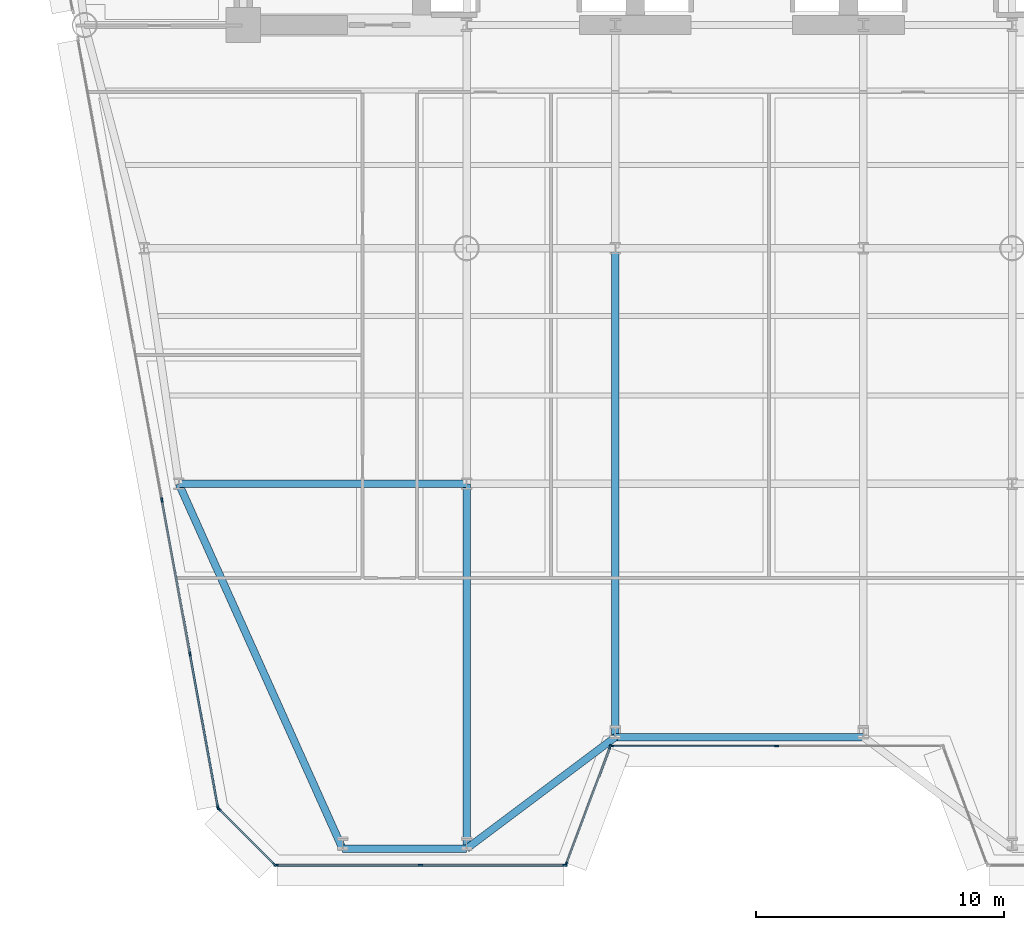
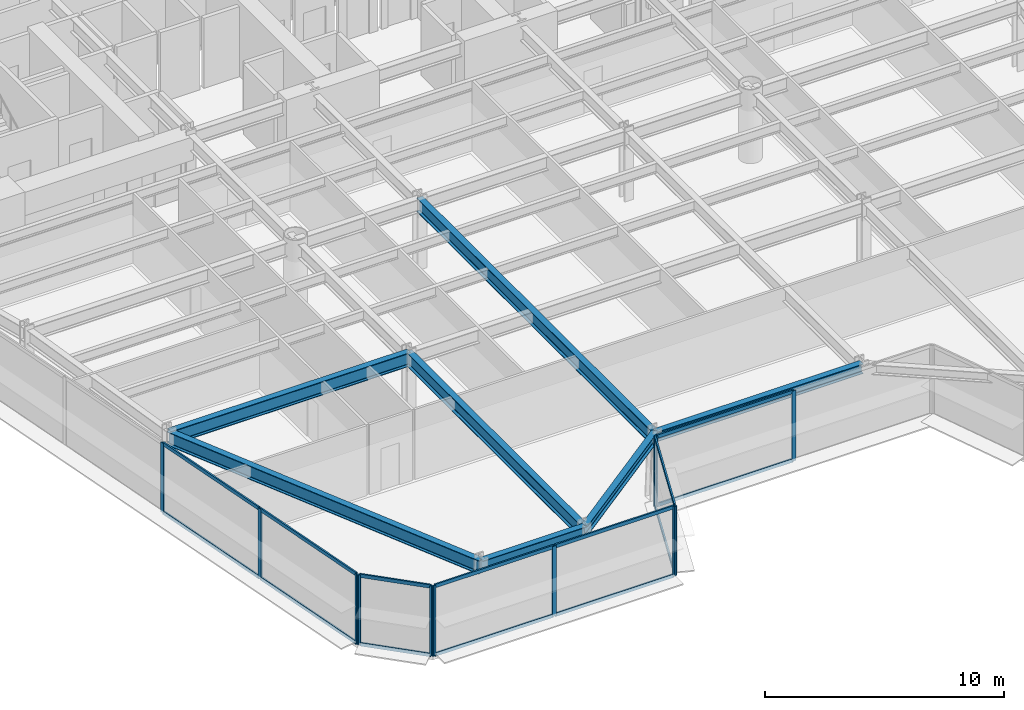
# One storey, part 2 of 15: 26 members, 7 beams, 5 elements without a shape of their own.
"""IFC4 building model written with IfcOpenShell, lengths in metres."""

from ifc_helpers import new_model, si_unit, direction, frame, origin, origin_2d, place, context, subcontext, project, spatial, rectangle, i_section, extrude, source, transform, mapped, material, layer, layer_set, material_profile, profile_set, type_object, element, aggregate, save


model = new_model("IFC4")

# Units and contexts
model_context = context("Model", 3, precision=1e-05, world=origin(), true_north=direction((0.0, 1.0)))
body_context = subcontext(model_context, "Body", "Model", "MODEL_VIEW")
ifc_project = project(units=[si_unit("LENGTHUNIT", "METRE"), si_unit("AREAUNIT", "SQUARE_METRE"), si_unit("VOLUMEUNIT", "CUBIC_METRE"), si_unit("PLANEANGLEUNIT", "RADIAN"), si_unit("MASSUNIT", "GRAM", prefix="KILO")], contexts=[model_context])

# Site, building, storey
site_placement = place(None, origin())
site = spatial("IfcSite", under=ifc_project, at=site_placement, CompositionType="ELEMENT")
building_placement = place(site_placement, origin())
building = spatial("IfcBuilding", under=site, at=building_placement, Name="Vaeldorn Concourse Tower", CompositionType="ELEMENT")
storey_placement = place(building_placement, frame((0.0, 0.0, 103.39990234375)))
storey = spatial("IfcBuildingStorey", under=building, at=storey_placement, Name="L26", CompositionType="ELEMENT", Elevation=103.39990234375)

# Beams
ifc_material_1 = material(Name="Steel S355", Category="steel")
ifc_material_profile_1 = material_profile(ifc_material_1, i_section(OverallWidth=0.300048828125, OverallDepth=0.5, WebThickness=0.014404296875, FlangeThickness=0.028076171875, FilletRadius=0.027099609375, at=origin_2d()), Name="HEB 500")
ifc_profile_set_1 = profile_set([ifc_material_profile_1], Name="Steel S355")
beam_type_1 = type_object("IfcBeamType", Name="BM-SP-HEB500", PredefinedType="SPANDREL", material=ifc_profile_set_1)
shared_shape_1 = source(origin(), body_context, "Body", "SweptSolid", [
    extrude(i_section(OverallWidth=0.300048828125, OverallDepth=0.5, WebThickness=0.014404296875, FlangeThickness=0.028076171875, FilletRadius=0.027099609375, at=origin_2d()), origin(), (0.0, 0.0, 1.0), 5.0),
])
beam_1_placement = place(storey_placement, frame((18.0, 3.290771484375, 3.330078125), z_axis=(1.0, 0.0, 0.0), x_axis=(0.0, 1.0, 0.0)))
element("IfcBeam", 1, at=beam_1_placement, inside=storey, type_object=beam_type_1, Name="Beam BM-L26-C-SF1-C-SF2", PredefinedType="SPANDREL", context=body_context, shape_type="MappedRepresentation", body=[
    mapped(shared_shape_1, transform((0.0, 0.0, 0.0), scale=1.0)),
])
shared_shape_2 = source(origin(), body_context, "Body", "SweptSolid", [
    extrude(i_section(OverallWidth=0.300048828125, OverallDepth=0.5, WebThickness=0.014404296875, FlangeThickness=0.028076171875, FilletRadius=0.027099609375, at=origin_2d()), origin(), (0.0, 0.0, 1.0), 7.5),
])
beam_2_placement = place(storey_placement, frame((23.0, 3.290771484375, 3.330078125), z_axis=(0.8, 0.6, 0.0), x_axis=(-0.6, 0.8, 0.0)))
element("IfcBeam", 2, at=beam_2_placement, inside=storey, type_object=beam_type_1, Name="Beam BM-L26-C-SF2-C-SF3", PredefinedType="SPANDREL", context=body_context, shape_type="MappedRepresentation", body=[
    mapped(shared_shape_2, transform((0.0, 0.0, 0.0), scale=1.0)),
])
shared_shape_3 = source(origin(), body_context, "Body", "SweptSolid", [
    extrude(i_section(OverallWidth=0.300048828125, OverallDepth=0.5, WebThickness=0.014404296875, FlangeThickness=0.028076171875, FilletRadius=0.027099609375, at=origin_2d()), origin(), (0.0, 0.0, 1.0), 10.0),
])
beam_3_placement = place(storey_placement, frame((29.0, 7.790771484375, 3.330078125), z_axis=(1.0, 0.0, 0.0), x_axis=(0.0, 1.0, 0.0)))
element("IfcBeam", 3, at=beam_3_placement, inside=storey, type_object=beam_type_1, Name="Beam BM-L26-C-SF3-C-SF4", PredefinedType="SPANDREL", context=body_context, shape_type="MappedRepresentation", body=[
    mapped(shared_shape_3, transform((0.0, 0.0, 0.0), scale=1.0)),
])
ifc_material_profile_2 = material_profile(ifc_material_1, i_section(OverallWidth=0.300048828125, OverallDepth=0.699951171875, WebThickness=0.01708984375, FlangeThickness=0.031982421875, FilletRadius=0.027099609375, at=origin_2d()), Name="HEB 700")
ifc_profile_set_2 = profile_set([ifc_material_profile_2], Name="Steel S355")
beam_type_2 = type_object("IfcBeamType", Name="BM-PG-HEB700", PredefinedType="BEAM", material=ifc_profile_set_2)
shared_shape_4 = source(origin(), body_context, "Body", "SweptSolid", [
    extrude(i_section(OverallWidth=0.300048828125, OverallDepth=0.699951171875, WebThickness=0.01708984375, FlangeThickness=0.031982421875, FilletRadius=0.027099609375, at=origin_2d()), origin(), (0.0, 0.0, 1.0), 11.60009765625),
])
beam_4_placement = place(storey_placement, frame((11.39990234375, 18.0, 3.22998046875), z_axis=(1.0, 0.0, 0.0), x_axis=(0.0, 1.0, 0.0)))
element("IfcBeam", 4, at=beam_4_placement, inside=storey, type_object=beam_type_2, Name="Beam BM-L26-C-FLW2-C-TW5", PredefinedType="BEAM", context=body_context, shape_type="MappedRepresentation", body=[
    mapped(shared_shape_4, transform((0.0, 0.0, 0.0), scale=1.0)),
])
shared_shape_5 = source(origin(), body_context, "Body", "SweptSolid", [
    extrude(i_section(OverallWidth=0.300048828125, OverallDepth=0.699951171875, WebThickness=0.01708984375, FlangeThickness=0.031982421875, FilletRadius=0.027099609375, at=origin_2d()), origin(), (0.0, 0.0, 1.0), 16.1220703125),
])
beam_5_placement = place(storey_placement, frame((18.0, 3.290771484375, 3.22998046875), z_axis=(-0.409381547022, 0.912363276857, 0.0), x_axis=(-0.912363276857, -0.409381547022, 0.0)))
element("IfcBeam", 5, at=beam_5_placement, inside=storey, type_object=beam_type_2, Name="Beam BM-L26-C-SF1-C-FLW2", PredefinedType="BEAM", context=body_context, shape_type="MappedRepresentation", body=[
    mapped(shared_shape_5, transform((0.0, 0.0, 0.0), scale=1.0)),
])
shared_shape_6 = source(origin(), body_context, "Body", "SweptSolid", [
    extrude(i_section(OverallWidth=0.300048828125, OverallDepth=0.699951171875, WebThickness=0.01708984375, FlangeThickness=0.031982421875, FilletRadius=0.027099609375, at=origin_2d()), origin(), (0.0, 0.0, 1.0), 14.709228515625),
])
beam_6_placement = place(storey_placement, frame((23.0, 3.290771484375, 3.22998046875), z_axis=(0.0, 1.0, 0.0), x_axis=(-1.0, 0.0, 0.0)))
element("IfcBeam", 6, at=beam_6_placement, inside=storey, type_object=beam_type_2, Name="Beam BM-L26-C-SF2-C-TW5", PredefinedType="BEAM", context=body_context, shape_type="MappedRepresentation", body=[
    mapped(shared_shape_6, transform((0.0, 0.0, 0.0), scale=1.0)),
])
shared_shape_7 = source(origin(), body_context, "Body", "SweptSolid", [
    extrude(i_section(OverallWidth=0.300048828125, OverallDepth=0.699951171875, WebThickness=0.01708984375, FlangeThickness=0.031982421875, FilletRadius=0.027099609375, at=origin_2d()), origin(), (0.0, 0.0, 1.0), 19.709228515625),
])
beam_7_placement = place(storey_placement, frame((29.0, 7.790771484375, 3.22998046875), z_axis=(0.0, 1.0, 0.0), x_axis=(-1.0, 0.0, 0.0)))
element("IfcBeam", 7, at=beam_7_placement, inside=storey, type_object=beam_type_2, Name="Beam BM-L26-C-SF3-C-TW2", PredefinedType="BEAM", context=body_context, shape_type="MappedRepresentation", body=[
    mapped(shared_shape_7, transform((0.0, 0.0, 0.0), scale=1.0)),
])

# Curtain wall, members
ifc_material_2 = material(Name="Anodised Bronze Aluminium", Category="aluminium")
ifc_layer = layer(ifc_material_2, 0.199951171875)
ifc_layer_set = layer_set([ifc_layer], Name="Anodised Bronze Aluminium")
curtain_wall_type = type_object("IfcCurtainWallType", Name="CW-SYS-02", PredefinedType="NOTDEFINED", material=ifc_layer_set)
curtain_wall_1_placement = place(storey_placement, origin())
curtain_wall_1 = element("IfcCurtainWall", 8, at=curtain_wall_1_placement, inside=storey, type_object=curtain_wall_type, Name="Unitised Curtain Wall CW-L26-E03-1", PredefinedType="NOTDEFINED")
ifc_material_profile_3 = material_profile(ifc_material_2, rectangle(XDim=0.074951171875, YDim=0.179931640625, at=origin_2d()), Name="CWT 75x180")
ifc_profile_set_3 = profile_set([ifc_material_profile_3], Name="Anodised Bronze Aluminium")
member_type_1 = type_object("IfcMemberType", Name="CWT-BRONZE-180", PredefinedType="USERDEFINED", material=ifc_profile_set_3)
shared_shape_8 = source(origin(), body_context, "Body", "SweptSolid", [
    extrude(rectangle(XDim=0.074951171875, YDim=0.179931640625, at=origin_2d()), origin(), (0.0, 0.0, 1.0), 6.58740234375),
])
member_1_placement = place(storey_placement, frame((28.875, 7.4296875, 0.03759765625), z_axis=(1.0, 0.0, 0.0), x_axis=(0.0, 1.0, 0.0)))
member_1 = element("IfcMember", 9, at=member_1_placement, type_object=member_type_1, Name="CW-02 transom 1.1", ObjectType="TRANSOM", PredefinedType="USERDEFINED", context=body_context, shape_type="MappedRepresentation", body=[
    mapped(shared_shape_8, transform((0.0, 0.0, 0.0), scale=1.0)),
])
member_2_placement = place(storey_placement, frame((28.875, 7.4296875, 3.54248046875), z_axis=(1.0, 0.0, 0.0), x_axis=(0.0, 1.0, 0.0)))
member_2 = element("IfcMember", 10, at=member_2_placement, type_object=member_type_1, Name="CW-02 transom 1.2", ObjectType="TRANSOM", PredefinedType="USERDEFINED", context=body_context, shape_type="MappedRepresentation", body=[
    mapped(shared_shape_8, transform((0.0, 0.0, 0.0), scale=1.0)),
])

curtain_wall_2_placement = place(storey_placement, origin())
curtain_wall_2 = element("IfcCurtainWall", 11, at=curtain_wall_2_placement, inside=storey, type_object=curtain_wall_type, Name="Unitised Curtain Wall CW-L26-E02-1", PredefinedType="NOTDEFINED")
shared_shape_9 = source(origin(), body_context, "Body", "SweptSolid", [
    extrude(rectangle(XDim=0.074951171875, YDim=0.179931640625, at=origin_2d()), origin(), (0.0, 0.0, 1.0), 4.9765625),
])
member_3_placement = place(storey_placement, frame((27.0263671875, 2.699951171875, 0.03759765625), z_axis=(0.351112688987, 0.936333209724, 0.0), x_axis=(-0.936333209724, 0.351112688987, 0.0)))
member_3 = element("IfcMember", 12, at=member_3_placement, type_object=member_type_1, Name="CW-02 transom 1.1", ObjectType="TRANSOM", PredefinedType="USERDEFINED", context=body_context, shape_type="MappedRepresentation", body=[
    mapped(shared_shape_9, transform((0.0, 0.0, 0.0), scale=1.0)),
])
member_4_placement = place(storey_placement, frame((27.0263671875, 2.699951171875, 3.54248046875), z_axis=(0.351112688987, 0.936333209724, 0.0), x_axis=(-0.936333209724, 0.351112688987, 0.0)))
member_4 = element("IfcMember", 13, at=member_4_placement, type_object=member_type_1, Name="CW-02 transom 1.2", ObjectType="TRANSOM", PredefinedType="USERDEFINED", context=body_context, shape_type="MappedRepresentation", body=[
    mapped(shared_shape_9, transform((0.0, 0.0, 0.0), scale=1.0)),
])

curtain_wall_3_placement = place(storey_placement, origin())
curtain_wall_3 = element("IfcCurtainWall", 14, at=curtain_wall_3_placement, inside=storey, type_object=curtain_wall_type, Name="Unitised Curtain Wall CW-L26-E12-1", PredefinedType="NOTDEFINED")
shared_shape_10 = source(origin(), body_context, "Body", "SweptSolid", [
    extrude(rectangle(XDim=0.074951171875, YDim=0.179931640625, at=origin_2d()), origin(), (0.0, 0.0, 1.0), 3.1025390625),
])
member_5_placement = place(storey_placement, frame((13.0341796875, 4.876708984375, 0.03759765625), z_axis=(0.707106781187, -0.707106781187, 0.0), x_axis=(0.707106781187, 0.707106781187, 0.0)))
member_5 = element("IfcMember", 15, at=member_5_placement, type_object=member_type_1, Name="CW-02 transom 1.1", ObjectType="TRANSOM", PredefinedType="USERDEFINED", context=body_context, shape_type="MappedRepresentation", body=[
    mapped(shared_shape_10, transform((0.0, 0.0, 0.0), scale=1.0)),
])
member_6_placement = place(storey_placement, frame((13.0341796875, 4.876708984375, 3.54248046875), z_axis=(0.707106781187, -0.707106781187, 0.0), x_axis=(0.707106781187, 0.707106781187, 0.0)))
member_6 = element("IfcMember", 16, at=member_6_placement, type_object=member_type_1, Name="CW-02 transom 1.2", ObjectType="TRANSOM", PredefinedType="USERDEFINED", context=body_context, shape_type="MappedRepresentation", body=[
    mapped(shared_shape_10, transform((0.0, 0.0, 0.0), scale=1.0)),
])

curtain_wall_4_placement = place(storey_placement, origin())
curtain_wall_4 = element("IfcCurtainWall", 17, at=curtain_wall_4_placement, inside=storey, type_object=curtain_wall_type, Name="Unitised Curtain Wall CW-L26-E01-1", PredefinedType="NOTDEFINED")
shared_shape_11 = source(origin(), body_context, "Body", "SweptSolid", [
    extrude(rectangle(XDim=0.074951171875, YDim=0.179931640625, at=origin_2d()), origin(), (0.0, 0.0, 1.0), 5.746826171875),
])
member_7_placement = place(storey_placement, frame((15.356201171875, 2.6298828125, 0.03759765625), z_axis=(1.0, 0.0, 0.0), x_axis=(0.0, 1.0, 0.0)))
member_7 = element("IfcMember", 18, at=member_7_placement, type_object=member_type_1, Name="CW-02 transom 1.1", ObjectType="TRANSOM", PredefinedType="USERDEFINED", context=body_context, shape_type="MappedRepresentation", body=[
    mapped(shared_shape_11, transform((0.0, 0.0, 0.0), scale=1.0)),
])
member_8_placement = place(storey_placement, frame((15.356201171875, 2.6298828125, 3.54248046875), z_axis=(1.0, 0.0, 0.0), x_axis=(0.0, 1.0, 0.0)))
member_8 = element("IfcMember", 19, at=member_8_placement, type_object=member_type_1, Name="CW-02 transom 1.2", ObjectType="TRANSOM", PredefinedType="USERDEFINED", context=body_context, shape_type="MappedRepresentation", body=[
    mapped(shared_shape_11, transform((0.0, 0.0, 0.0), scale=1.0)),
])
shared_shape_12 = source(origin(), body_context, "Body", "SweptSolid", [
    extrude(rectangle(XDim=0.074951171875, YDim=0.179931640625, at=origin_2d()), origin(), (0.0, 0.0, 1.0), 5.7470703125),
])
member_9_placement = place(storey_placement, frame((21.177978515625, 2.6298828125, 0.03759765625), z_axis=(1.0, 0.0, 0.0), x_axis=(0.0, 1.0, 0.0)))
member_9 = element("IfcMember", 20, at=member_9_placement, type_object=member_type_1, Name="CW-02 transom 2.1", ObjectType="TRANSOM", PredefinedType="USERDEFINED", context=body_context, shape_type="MappedRepresentation", body=[
    mapped(shared_shape_12, transform((0.0, 0.0, 0.0), scale=1.0)),
])
member_10_placement = place(storey_placement, frame((21.177978515625, 2.6298828125, 3.54248046875), z_axis=(1.0, 0.0, 0.0), x_axis=(0.0, 1.0, 0.0)))
member_10 = element("IfcMember", 21, at=member_10_placement, type_object=member_type_1, Name="CW-02 transom 2.2", ObjectType="TRANSOM", PredefinedType="USERDEFINED", context=body_context, shape_type="MappedRepresentation", body=[
    mapped(shared_shape_12, transform((0.0, 0.0, 0.0), scale=1.0)),
])
ifc_material_profile_4 = material_profile(ifc_material_2, rectangle(XDim=0.074951171875, YDim=0.18994140625, at=origin_2d()), Name="CWM 75x190")
ifc_profile_set_4 = profile_set([ifc_material_profile_4], Name="Anodised Bronze Aluminium")
member_type_2 = type_object("IfcMemberType", Name="CWM-BRONZE-190", PredefinedType="MULLION", material=ifc_profile_set_4)
shared_shape_13 = source(origin(), body_context, "Body", "SweptSolid", [
    extrude(rectangle(XDim=0.074951171875, YDim=0.18994140625, at=origin_2d()), origin(), (0.0, 0.0, 1.0), 3.580078125),
])
member_11_placement = place(storey_placement, frame((15.318603515625, 2.6298828125, 0.0), z_axis=(0.0, 0.0, 1.0), x_axis=(0.0, 1.0, 0.0)))
member_11 = element("IfcMember", 22, at=member_11_placement, type_object=member_type_2, Name="CW-02 mullion 1", PredefinedType="MULLION", context=body_context, shape_type="MappedRepresentation", body=[
    mapped(shared_shape_13, transform((0.0, 0.0, 0.0), scale=1.0)),
])
member_12_placement = place(storey_placement, frame((21.140625, 2.6298828125, 0.0), z_axis=(0.0, 0.0, 1.0), x_axis=(0.0, 1.0, 0.0)))
member_12 = element("IfcMember", 23, at=member_12_placement, type_object=member_type_2, Name="CW-02 mullion 2", PredefinedType="MULLION", context=body_context, shape_type="MappedRepresentation", body=[
    mapped(shared_shape_13, transform((0.0, 0.0, 0.0), scale=1.0)),
])
member_13_placement = place(storey_placement, frame((26.96240234375, 2.6298828125, 0.0), z_axis=(0.0, 0.0, 1.0), x_axis=(0.0, 1.0, 0.0)))
member_13 = element("IfcMember", 24, at=member_13_placement, type_object=member_type_2, Name="CW-02 mullion 3", PredefinedType="MULLION", context=body_context, shape_type="MappedRepresentation", body=[
    mapped(shared_shape_13, transform((0.0, 0.0, 0.0), scale=1.0)),
])
aggregate(curtain_wall_4, [member_11, member_12, member_13, member_7, member_8, member_9, member_10])

# Member
member_14_placement = place(storey_placement, frame((27.01318359375, 2.664794921875, 0.0), z_axis=(0.0, 0.0, 1.0), x_axis=(-0.936329177566, 0.351123441595, 0.0)))
member_14 = element("IfcMember", 25, at=member_14_placement, type_object=member_type_2, Name="CW-02 mullion 1", PredefinedType="MULLION", context=body_context, shape_type="MappedRepresentation", body=[
    mapped(shared_shape_13, transform((0.0, 0.0, 0.0), scale=1.0)),
])

member_15_placement = place(storey_placement, frame((28.786865234375, 7.394775390625, 0.0), z_axis=(0.0, 0.0, 1.0), x_axis=(-0.936329177566, 0.351123441595, 0.0)))
member_15 = element("IfcMember", 26, at=member_15_placement, type_object=member_type_2, Name="CW-02 mullion 2", PredefinedType="MULLION", context=body_context, shape_type="MappedRepresentation", body=[
    mapped(shared_shape_13, transform((0.0, 0.0, 0.0), scale=1.0)),
])

aggregate(curtain_wall_2, [member_14, member_15, member_3, member_4])

member_16_placement = place(storey_placement, frame((28.83740234375, 7.4296875, 0.0), z_axis=(0.0, 0.0, 1.0), x_axis=(0.0, 1.0, 0.0)))
member_16 = element("IfcMember", 27, at=member_16_placement, type_object=member_type_2, Name="CW-02 mullion 1", PredefinedType="MULLION", context=body_context, shape_type="MappedRepresentation", body=[
    mapped(shared_shape_13, transform((0.0, 0.0, 0.0), scale=1.0)),
])

member_17_placement = place(storey_placement, frame((35.5, 7.4296875, 0.0), z_axis=(0.0, 0.0, 1.0), x_axis=(0.0, 1.0, 0.0)))
member_17 = element("IfcMember", 28, at=member_17_placement, type_object=member_type_2, Name="CW-02 mullion 2", PredefinedType="MULLION", context=body_context, shape_type="MappedRepresentation", body=[
    mapped(shared_shape_13, transform((0.0, 0.0, 0.0), scale=1.0)),
])

aggregate(curtain_wall_1, [member_16, member_17, member_1, member_2])

# Curtain wall, members
curtain_wall_5_placement = place(storey_placement, origin())
curtain_wall_5 = element("IfcCurtainWall", 29, at=curtain_wall_5_placement, inside=storey, type_object=curtain_wall_type, Name="Unitised Curtain Wall CW-L26-E11-2", PredefinedType="NOTDEFINED")
member_18_placement = place(storey_placement, frame((10.71630859375, 17.3505859375, 0.0), z_axis=(0.0, 0.0, 1.0), x_axis=(0.983779200312, 0.179383625321, 0.0)))
member_18 = element("IfcMember", 30, at=member_18_placement, type_object=member_type_2, Name="CW-02 mullion 4", PredefinedType="MULLION", context=body_context, shape_type="MappedRepresentation", body=[
    mapped(shared_shape_13, transform((0.0, 0.0, 0.0), scale=1.0)),
])
member_19_placement = place(storey_placement, frame((11.8486328125, 11.14013671875, 0.0), z_axis=(0.0, 0.0, 1.0), x_axis=(0.983779200312, 0.179383625321, 0.0)))
member_19 = element("IfcMember", 31, at=member_19_placement, type_object=member_type_2, Name="CW-02 mullion 5", PredefinedType="MULLION", context=body_context, shape_type="MappedRepresentation", body=[
    mapped(shared_shape_13, transform((0.0, 0.0, 0.0), scale=1.0)),
])
member_20_placement = place(storey_placement, frame((12.974365234375, 4.966796875, 0.0), z_axis=(0.0, 0.0, 1.0), x_axis=(0.983779200312, 0.179383625321, 0.0)))
member_20 = element("IfcMember", 32, at=member_20_placement, type_object=member_type_2, Name="CW-02 mullion 6", PredefinedType="MULLION", context=body_context, shape_type="MappedRepresentation", body=[
    mapped(shared_shape_13, transform((0.0, 0.0, 0.0), scale=1.0)),
])

# Member
member_21_placement = place(storey_placement, frame((13.007568359375, 4.9033203125, 0.0), z_axis=(0.0, 0.0, 1.0), x_axis=(0.707106781187, 0.707106781187, 0.0)))
member_21 = element("IfcMember", 33, at=member_21_placement, type_object=member_type_2, Name="CW-02 mullion 1", PredefinedType="MULLION", context=body_context, shape_type="MappedRepresentation", body=[
    mapped(shared_shape_13, transform((0.0, 0.0, 0.0), scale=1.0)),
])

member_22_placement = place(storey_placement, frame((15.254638671875, 2.65625, 0.0), z_axis=(0.0, 0.0, 1.0), x_axis=(0.707106781187, 0.707106781187, 0.0)))
member_22 = element("IfcMember", 34, at=member_22_placement, type_object=member_type_2, Name="CW-02 mullion 2", PredefinedType="MULLION", context=body_context, shape_type="MappedRepresentation", body=[
    mapped(shared_shape_13, transform((0.0, 0.0, 0.0), scale=1.0)),
])

aggregate(curtain_wall_3, [member_21, member_22, member_5, member_6])

shared_shape_14 = source(origin(), body_context, "Body", "SweptSolid", [
    extrude(rectangle(XDim=0.074951171875, YDim=0.179931640625, at=origin_2d()), origin(), (0.0, 0.0, 1.0), 6.2001953125),
])
member_23_placement = place(storey_placement, frame((11.85546875, 11.103271484375, 0.03759765625), z_axis=(0.179360140946, -0.983783482195, 0.0), x_axis=(0.983783482195, 0.179360140946, 0.0)))
member_23 = element("IfcMember", 35, at=member_23_placement, type_object=member_type_1, Name="CW-02 transom 5.1", ObjectType="TRANSOM", PredefinedType="USERDEFINED", context=body_context, shape_type="MappedRepresentation", body=[
    mapped(shared_shape_14, transform((0.0, 0.0, 0.0), scale=1.0)),
])

member_24_placement = place(storey_placement, frame((11.85546875, 11.103271484375, 3.54248046875), z_axis=(0.179360140946, -0.983783482195, 0.0), x_axis=(0.983783482195, 0.179360140946, 0.0)))
member_24 = element("IfcMember", 36, at=member_24_placement, type_object=member_type_1, Name="CW-02 transom 5.2", ObjectType="TRANSOM", PredefinedType="USERDEFINED", context=body_context, shape_type="MappedRepresentation", body=[
    mapped(shared_shape_14, transform((0.0, 0.0, 0.0), scale=1.0)),
])

shared_shape_15 = source(origin(), body_context, "Body", "SweptSolid", [
    extrude(rectangle(XDim=0.074951171875, YDim=0.179931640625, at=origin_2d()), origin(), (0.0, 0.0, 1.0), 6.23779296875),
])
member_25_placement = place(storey_placement, frame((10.722900390625, 17.313720703125, 0.03759765625), z_axis=(0.179415831783, -0.983773327198, 0.0), x_axis=(0.983773327198, 0.179415831783, 0.0)))
member_25 = element("IfcMember", 37, at=member_25_placement, type_object=member_type_1, Name="CW-02 transom 4.1", ObjectType="TRANSOM", PredefinedType="USERDEFINED", context=body_context, shape_type="MappedRepresentation", body=[
    mapped(shared_shape_15, transform((0.0, 0.0, 0.0), scale=1.0)),
])

member_26_placement = place(storey_placement, frame((10.722900390625, 17.313720703125, 3.54248046875), z_axis=(0.179415831783, -0.983773327198, 0.0), x_axis=(0.983773327198, 0.179415831783, 0.0)))
member_26 = element("IfcMember", 38, at=member_26_placement, type_object=member_type_1, Name="CW-02 transom 4.2", ObjectType="TRANSOM", PredefinedType="USERDEFINED", context=body_context, shape_type="MappedRepresentation", body=[
    mapped(shared_shape_15, transform((0.0, 0.0, 0.0), scale=1.0)),
])

aggregate(curtain_wall_5, [member_18, member_19, member_20, member_25, member_26, member_23, member_24])

save(model, "model.ifc")
